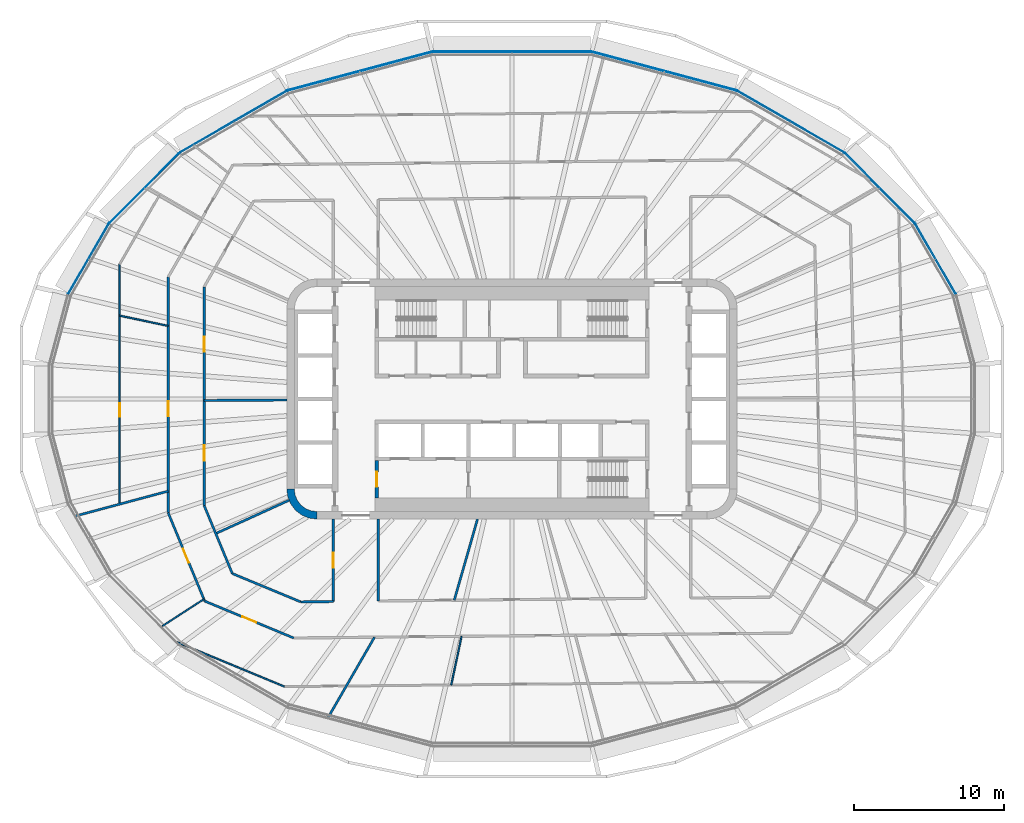
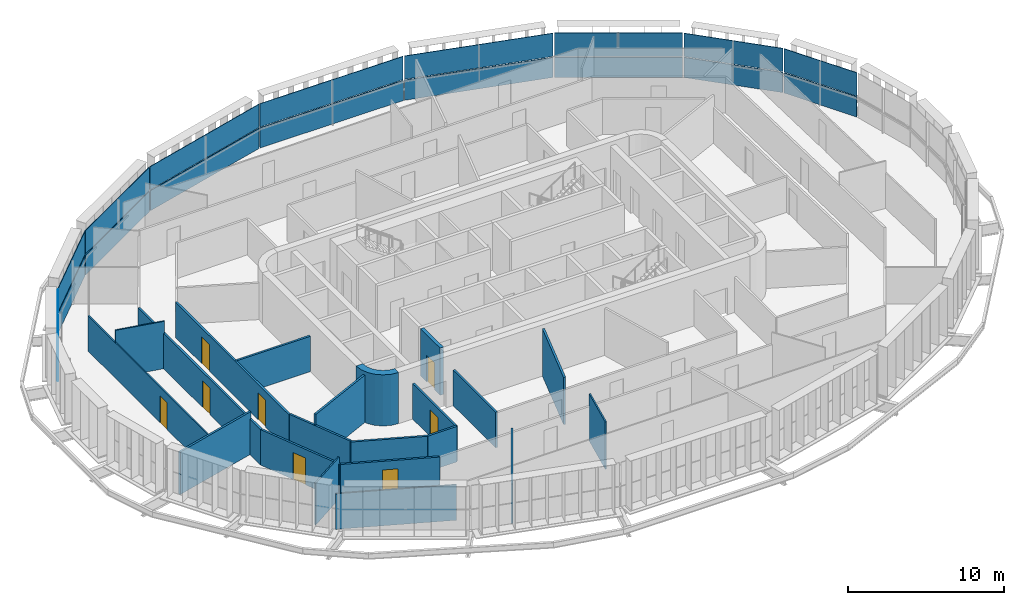
# One storey, part 10 of 21: 21 walls, 18 plates, 8 doors, 8 openings, 9 elements without a shape of their own.
"""IFC4 building model written with IfcOpenShell, lengths in metres."""

from ifc_helpers import new_model, si_unit, direction, frame, frame_2d, origin, place, context, subcontext, project, spatial, polyline, rectangle, outline, extrude, material, layer, layer_set, type_object, element, fill, aggregate, save


model = new_model("IFC4")

# Units and contexts
model_context = context("Model", 3, precision=1e-05, world=origin(), true_north=direction((0.0, 1.0)))
body_context = subcontext(model_context, "Body", "Model", "MODEL_VIEW")
ifc_project = project(units=[si_unit("LENGTHUNIT", "METRE"), si_unit("AREAUNIT", "SQUARE_METRE"), si_unit("VOLUMEUNIT", "CUBIC_METRE"), si_unit("PLANEANGLEUNIT", "RADIAN"), si_unit("MASSUNIT", "GRAM", prefix="KILO")], contexts=[model_context])

# Site, building, storey
site_placement = place(None, origin())
site = spatial("IfcSite", under=ifc_project, at=site_placement, CompositionType="ELEMENT")
building_placement = place(site_placement, origin())
building = spatial("IfcBuilding", under=site, at=building_placement, Name="Sahrelin Media Tower", CompositionType="ELEMENT")
storey_placement = place(building_placement, frame((0.0, 0.0, 193.60009765625)))
storey = spatial("IfcBuildingStorey", under=building, at=storey_placement, Name="L41", CompositionType="ELEMENT", Elevation=193.60009765625)

# Curtain wall, plate
ifc_material_1 = material(Name="Champagne anodised aluminium 6063-T6", Category="aluminium")
ifc_layer_1 = layer(ifc_material_1, 0.14990234375)
ifc_layer_set_1 = layer_set([ifc_layer_1], Name="Tower ribbon curtain wall")
curtain_wall_type = type_object("IfcCurtainWallType", Name="Tower ribbon curtain wall", PredefinedType="NOTDEFINED", material=ifc_layer_set_1)
curtain_wall_1_placement = place(storey_placement, frame((28.211181640625, 9.324951171875, 0.0), z_axis=(0.0, 0.0, 1.0), x_axis=(1.0, 0.0, 0.0)))
curtain_wall_1 = element("IfcCurtainWall", 1, at=curtain_wall_1_placement, inside=storey, type_object=curtain_wall_type, Name="L41:CW:L41-02", PredefinedType="NOTDEFINED")
ifc_material_2 = material(Name="Clear low-iron glazing", Category="glass")
ifc_layer_2 = layer(ifc_material_2, 0.0439453125)
ifc_layer_set_2 = layer_set([ifc_layer_2], Name="Glazing panel 44 mm CW1B")
plate_type_1 = type_object("IfcPlateType", Name="Glazing panel 44 mm CW1B", PredefinedType="CURTAIN_PANEL", material=ifc_layer_set_2)
plate_1_placement = place(storey_placement, frame((29.573486328125, 7.005859375, 1.6298828125), z_axis=(0.866014014495, 0.500019726309, 0.0), x_axis=(-0.500019726309, 0.866014014495, 0.0)))
plate_1 = element("IfcPlate", 2, at=plate_1_placement, type_object=plate_type_1, Name="L41:CWP2:L41-02", PredefinedType="CURTAIN_PANEL", context=body_context, shape_type="SweptSolid", body=[
    extrude(outline(polyline([(0.0, 0.0), (5.379150390625, 0.0), (5.379150390625, 1.818603515625), (0.0, 1.818603515625), (0.0, 0.0)])), origin(), (0.0, 0.0, -1.0), 0.0439453125),
])

curtain_wall_2_placement = place(storey_placement, frame((24.48779296875, 14.05126953125, 0.0), z_axis=(0.0, 0.0, 1.0), x_axis=(1.0, 0.0, 0.0)))
curtain_wall_2 = element("IfcCurtainWall", 3, at=curtain_wall_2_placement, inside=storey, type_object=curtain_wall_type, Name="L41:CW:L41-03", PredefinedType="NOTDEFINED")
plate_2_placement = place(storey_placement, frame((26.8203125, 11.7470703125, 1.6298828125), z_axis=(0.707106781187, 0.707106781187, 0.0), x_axis=(-0.707106781187, 0.707106781187, 0.0)))
plate_2 = element("IfcPlate", 4, at=plate_2_placement, type_object=plate_type_1, Name="L41:CWP2:L41-03", PredefinedType="CURTAIN_PANEL", context=body_context, shape_type="SweptSolid", body=[
    extrude(outline(polyline([(0.0, 0.0), (6.557373046875, 0.0), (6.557373046875, 1.818603515625), (0.0, 1.818603515625), (0.0, 0.0)])), origin(), (0.0, 0.0, -1.0), 0.0439453125),
])

curtain_wall_3_placement = place(storey_placement, frame((18.54052734375, 18.47998046875, 0.0), z_axis=(0.0, 0.0, 1.0), x_axis=(1.0, 0.0, 0.0)))
curtain_wall_3 = element("IfcCurtainWall", 5, at=curtain_wall_3_placement, inside=storey, type_object=curtain_wall_type, Name="L41:CW:L41-04", PredefinedType="NOTDEFINED")
plate_3_placement = place(storey_placement, frame((22.1005859375, 16.447509765625, 1.6298828125), z_axis=(0.499998260706, 0.866026407964, 0.0), x_axis=(-0.866026407964, 0.499998260706, 0.0)))
plate_3 = element("IfcPlate", 6, at=plate_3_placement, type_object=plate_type_1, Name="L41:CWP2:L41-04", PredefinedType="CURTAIN_PANEL", context=body_context, shape_type="SweptSolid", body=[
    extrude(outline(polyline([(0.0, 0.0), (8.19873046875, 0.0), (8.19873046875, 1.818603515625), (0.0, 1.818603515625), (0.0, 0.0)])), origin(), (0.0, 0.0, -1.0), 0.0439453125),
])

curtain_wall_4_placement = place(storey_placement, frame((10.143310546875, 21.841796875, 0.0), z_axis=(0.0, 0.0, 1.0), x_axis=(1.0, 0.0, 0.0)))
curtain_wall_4 = element("IfcCurtainWall", 7, at=curtain_wall_4_placement, inside=storey, type_object=curtain_wall_type, Name="L41:CW:L41-05", PredefinedType="NOTDEFINED")
plate_4_placement = place(storey_placement, frame((14.90380859375, 20.5869140625, 1.6298828125), z_axis=(0.258813753336, 0.965927244198, 0.0), x_axis=(-0.965927244198, 0.258813753336, 0.0)))
plate_4 = element("IfcPlate", 8, at=plate_4_placement, type_object=plate_type_1, Name="L41:CWP2:L41-05", PredefinedType="CURTAIN_PANEL", context=body_context, shape_type="SweptSolid", body=[
    extrude(outline(polyline([(0.0, 0.0), (9.84619140625, 0.0), (9.84619140625, 1.818603515625), (0.0, 1.818603515625), (0.0, 0.0)])), origin(), (0.0, 0.0, -1.0), 0.0439453125),
])

curtain_wall_5_placement = place(storey_placement, frame((0.0, 23.12890625, 0.0), z_axis=(0.0, 0.0, 1.0), x_axis=(1.0, 0.0, 0.0)))
curtain_wall_5 = element("IfcCurtainWall", 9, at=curtain_wall_5_placement, inside=storey, type_object=curtain_wall_type, Name="L41:CW:L41-06", PredefinedType="NOTDEFINED")
plate_5_placement = place(storey_placement, frame((5.28955078125, 23.14892578125, 1.6298828125), z_axis=(0.0, 1.0, 0.0), x_axis=(-1.0, 0.0, 0.0)))
plate_5 = element("IfcPlate", 10, at=plate_5_placement, type_object=plate_type_1, Name="L41:CWP2:L41-06", PredefinedType="CURTAIN_PANEL", context=body_context, shape_type="SweptSolid", body=[
    extrude(outline(polyline([(0.0, 0.0), (10.5791015625, 0.0), (10.5791015625, 1.818603515625), (0.0, 1.818603515625), (0.0, 0.0)])), origin(), (0.0, 0.0, -1.0), 0.0439453125),
])

curtain_wall_6_placement = place(storey_placement, frame((-10.143310546875, 21.841796875, 0.0), z_axis=(0.0, 0.0, 1.0), x_axis=(1.0, 0.0, 0.0)))
curtain_wall_6 = element("IfcCurtainWall", 11, at=curtain_wall_6_placement, inside=storey, type_object=curtain_wall_type, Name="L41:CW:L41-07", PredefinedType="NOTDEFINED")
plate_6_placement = place(storey_placement, frame((-5.39306640625, 23.13525390625, 1.6298828125), z_axis=(-0.258813753336, 0.965927244198, 0.0), x_axis=(-0.965927244198, -0.258813753336, 0.0)))
plate_6 = element("IfcPlate", 12, at=plate_6_placement, type_object=plate_type_1, Name="L41:CWP2:L41-07", PredefinedType="CURTAIN_PANEL", context=body_context, shape_type="SweptSolid", body=[
    extrude(outline(polyline([(0.0, 0.0), (9.84619140625, 0.0), (9.84619140625, 1.818603515625), (0.0, 1.818603515625), (0.0, 0.0)])), origin(), (0.0, 0.0, -1.0), 0.0439453125),
])

curtain_wall_7_placement = place(storey_placement, frame((-18.540283203125, 18.479736328125, 0.0), z_axis=(0.0, 0.0, 1.0), x_axis=(1.0, 0.0, 0.0)))
curtain_wall_7 = element("IfcCurtainWall", 13, at=curtain_wall_7_placement, inside=storey, type_object=curtain_wall_type, Name="L41:CW:L41-08", PredefinedType="NOTDEFINED")
plate_7_placement = place(storey_placement, frame((-15.000244140625, 20.546875, 1.6298828125), z_axis=(-0.499998260706, 0.866026407964, 0.0), x_axis=(-0.866026407964, -0.499998260706, 0.0)))
plate_7 = element("IfcPlate", 14, at=plate_7_placement, type_object=plate_type_1, Name="L41:CWP2:L41-08", PredefinedType="CURTAIN_PANEL", context=body_context, shape_type="SweptSolid", body=[
    extrude(outline(polyline([(0.0, 0.0), (8.19873046875, 0.0), (8.19873046875, 1.818603515625), (0.0, 1.818603515625), (0.0, 0.0)])), origin(), (0.0, 0.0, -1.0), 0.0439453125),
])

curtain_wall_8_placement = place(storey_placement, frame((-24.48779296875, 14.05126953125, 0.0), z_axis=(0.0, 0.0, 1.0), x_axis=(1.0, 0.0, 0.0)))
curtain_wall_8 = element("IfcCurtainWall", 15, at=curtain_wall_8_placement, inside=storey, type_object=curtain_wall_type, Name="L41:CW:L41-09", PredefinedType="NOTDEFINED")
plate_8_placement = place(storey_placement, frame((-22.18359375, 16.3837890625, 1.6298828125), z_axis=(-0.707106781187, 0.707106781187, 0.0), x_axis=(-0.707106781187, -0.707106781187, 0.0)))
plate_8 = element("IfcPlate", 16, at=plate_8_placement, type_object=plate_type_1, Name="L41:CWP2:L41-09", PredefinedType="CURTAIN_PANEL", context=body_context, shape_type="SweptSolid", body=[
    extrude(outline(polyline([(0.0, 0.0), (6.557373046875, 0.0), (6.557373046875, 1.818603515625), (0.0, 1.818603515625), (0.0, 0.0)])), origin(), (0.0, 0.0, -1.0), 0.0439453125),
])

curtain_wall_9_placement = place(storey_placement, frame((-28.211181640625, 9.324951171875, 0.0), z_axis=(0.0, 0.0, 1.0), x_axis=(1.0, 0.0, 0.0)))
curtain_wall_9 = element("IfcCurtainWall", 17, at=curtain_wall_9_placement, inside=storey, type_object=curtain_wall_type, Name="L41:CW:L41-10", PredefinedType="NOTDEFINED")
plate_9_placement = place(storey_placement, frame((-26.8837890625, 11.664306640625, 1.6298828125), z_axis=(-0.866014014495, 0.500019726309, 0.0), x_axis=(-0.500019726309, -0.866014014495, 0.0)))
plate_9 = element("IfcPlate", 18, at=plate_9_placement, type_object=plate_type_1, Name="L41:CWP2:L41-10", PredefinedType="CURTAIN_PANEL", context=body_context, shape_type="SweptSolid", body=[
    extrude(outline(polyline([(0.0, 0.0), (5.379150390625, 0.0), (5.379150390625, 1.818603515625), (0.0, 1.818603515625), (0.0, 0.0)])), origin(), (0.0, 0.0, -1.0), 0.0439453125),
])

# Plate
ifc_material_3 = material(Name="Insulated spandrel panel")
ifc_layer_3 = layer(ifc_material_3, 0.06005859375)
ifc_layer_set_3 = layer_set([ifc_layer_3], Name="Spandrel panel 60 mm CW1")
plate_type_2 = type_object("IfcPlateType", Name="Spandrel panel 60 mm CW1", PredefinedType="SHEET", material=ifc_layer_set_3)
plate_10_placement = place(storey_placement, frame((29.573486328125, 7.005859375, 0.0), z_axis=(0.866014014495, 0.500019726309, 0.0), x_axis=(-0.500019726309, 0.866014014495, 0.0)))
plate_10 = element("IfcPlate", 19, at=plate_10_placement, type_object=plate_type_2, Name="L41:CWP1:L41-02", PredefinedType="SHEET", context=body_context, shape_type="SweptSolid", body=[
    extrude(outline(polyline([(0.0, 0.0), (5.379150390625, 0.0), (5.379150390625, 1.56982421875), (0.0, 1.56982421875), (0.0, 0.0)])), origin(), (0.0, 0.0, -1.0), 0.06005859375),
])

aggregate(curtain_wall_1, [plate_10, plate_1])

plate_11_placement = place(storey_placement, frame((26.8203125, 11.7470703125, 0.0), z_axis=(0.707106781187, 0.707106781187, 0.0), x_axis=(-0.707106781187, 0.707106781187, 0.0)))
plate_11 = element("IfcPlate", 20, at=plate_11_placement, type_object=plate_type_2, Name="L41:CWP1:L41-03", PredefinedType="SHEET", context=body_context, shape_type="SweptSolid", body=[
    extrude(outline(polyline([(0.0, 0.0), (6.557373046875, 0.0), (6.557373046875, 1.56982421875), (0.0, 1.56982421875), (0.0, 0.0)])), origin(), (0.0, 0.0, -1.0), 0.06005859375),
])

aggregate(curtain_wall_2, [plate_11, plate_2])

plate_12_placement = place(storey_placement, frame((22.1005859375, 16.447509765625, 0.0), z_axis=(0.499998260706, 0.866026407964, 0.0), x_axis=(-0.866026407964, 0.499998260706, 0.0)))
plate_12 = element("IfcPlate", 21, at=plate_12_placement, type_object=plate_type_2, Name="L41:CWP1:L41-04", PredefinedType="SHEET", context=body_context, shape_type="SweptSolid", body=[
    extrude(outline(polyline([(0.0, 0.0), (8.19873046875, 0.0), (8.19873046875, 1.56982421875), (0.0, 1.56982421875), (0.0, 0.0)])), origin(), (0.0, 0.0, -1.0), 0.06005859375),
])

aggregate(curtain_wall_3, [plate_12, plate_3])

plate_13_placement = place(storey_placement, frame((14.90380859375, 20.5869140625, 0.0), z_axis=(0.258813753336, 0.965927244198, 0.0), x_axis=(-0.965927244198, 0.258813753336, 0.0)))
plate_13 = element("IfcPlate", 22, at=plate_13_placement, type_object=plate_type_2, Name="L41:CWP1:L41-05", PredefinedType="SHEET", context=body_context, shape_type="SweptSolid", body=[
    extrude(outline(polyline([(0.0, 0.0), (9.84619140625, 0.0), (9.84619140625, 1.56982421875), (0.0, 1.56982421875), (0.0, 0.0)])), origin(), (0.0, 0.0, -1.0), 0.06005859375),
])

aggregate(curtain_wall_4, [plate_13, plate_4])

plate_14_placement = place(storey_placement, frame((5.28955078125, 23.14892578125, 0.0), z_axis=(0.0, 1.0, 0.0), x_axis=(-1.0, 0.0, 0.0)))
plate_14 = element("IfcPlate", 23, at=plate_14_placement, type_object=plate_type_2, Name="L41:CWP1:L41-06", PredefinedType="SHEET", context=body_context, shape_type="SweptSolid", body=[
    extrude(outline(polyline([(0.0, 0.0), (10.5791015625, 0.0), (10.5791015625, 1.56982421875), (0.0, 1.56982421875), (0.0, 0.0)])), origin(), (0.0, 0.0, -1.0), 0.06005859375),
])

aggregate(curtain_wall_5, [plate_14, plate_5])

plate_15_placement = place(storey_placement, frame((-5.39306640625, 23.13525390625, 0.0), z_axis=(-0.258813753336, 0.965927244198, 0.0), x_axis=(-0.965927244198, -0.258813753336, 0.0)))
plate_15 = element("IfcPlate", 24, at=plate_15_placement, type_object=plate_type_2, Name="L41:CWP1:L41-07", PredefinedType="SHEET", context=body_context, shape_type="SweptSolid", body=[
    extrude(outline(polyline([(0.0, 0.0), (9.84619140625, 0.0), (9.84619140625, 1.56982421875), (0.0, 1.56982421875), (0.0, 0.0)])), origin(), (0.0, 0.0, -1.0), 0.06005859375),
])

aggregate(curtain_wall_6, [plate_15, plate_6])

plate_16_placement = place(storey_placement, frame((-15.000244140625, 20.546875, 0.0), z_axis=(-0.499998260706, 0.866026407964, 0.0), x_axis=(-0.866026407964, -0.499998260706, 0.0)))
plate_16 = element("IfcPlate", 25, at=plate_16_placement, type_object=plate_type_2, Name="L41:CWP1:L41-08", PredefinedType="SHEET", context=body_context, shape_type="SweptSolid", body=[
    extrude(outline(polyline([(0.0, 0.0), (8.19873046875, 0.0), (8.19873046875, 1.56982421875), (0.0, 1.56982421875), (0.0, 0.0)])), origin(), (0.0, 0.0, -1.0), 0.06005859375),
])

aggregate(curtain_wall_7, [plate_16, plate_7])

plate_17_placement = place(storey_placement, frame((-22.18359375, 16.3837890625, 0.0), z_axis=(-0.707106781187, 0.707106781187, 0.0), x_axis=(-0.707106781187, -0.707106781187, 0.0)))
plate_17 = element("IfcPlate", 26, at=plate_17_placement, type_object=plate_type_2, Name="L41:CWP1:L41-09", PredefinedType="SHEET", context=body_context, shape_type="SweptSolid", body=[
    extrude(outline(polyline([(0.0, 0.0), (6.557373046875, 0.0), (6.557373046875, 1.56982421875), (0.0, 1.56982421875), (0.0, 0.0)])), origin(), (0.0, 0.0, -1.0), 0.06005859375),
])

aggregate(curtain_wall_8, [plate_17, plate_8])

plate_18_placement = place(storey_placement, frame((-26.8837890625, 11.664306640625, 0.0), z_axis=(-0.866014014495, 0.500019726309, 0.0), x_axis=(-0.500019726309, -0.866014014495, 0.0)))
plate_18 = element("IfcPlate", 27, at=plate_18_placement, type_object=plate_type_2, Name="L41:CWP1:L41-10", PredefinedType="SHEET", context=body_context, shape_type="SweptSolid", body=[
    extrude(outline(polyline([(0.0, 0.0), (5.379150390625, 0.0), (5.379150390625, 1.56982421875), (0.0, 1.56982421875), (0.0, 0.0)])), origin(), (0.0, 0.0, -1.0), 0.06005859375),
])

aggregate(curtain_wall_9, [plate_18, plate_9])

# Wall
ifc_material_4 = material(Name="Concrete C60/75", Category="concrete")
ifc_layer_4 = layer(ifc_material_4, 0.5)
ifc_layer_set_4 = layer_set([ifc_layer_4], Name="Core wall 500")
wall_type_1 = type_object("IfcWallType", Name="Core wall 500", PredefinedType="SHEAR", material=ifc_layer_set_4)
wall_1_placement = place(storey_placement, origin())
element("IfcWall", 28, at=wall_1_placement, inside=storey, type_object=wall_type_1, Name="Core wall corner SW L41", PredefinedType="SHEAR", context=body_context, shape_type="SweptSolid", body=[
    extrude(outline(polyline([(-13.0, -8.0), (-13.0, -7.49560546875), (-13.38720703125, -7.44482421875), (-13.747802734375, -7.29541015625), (-14.0576171875, -7.0576171875), (-14.29541015625, -6.747802734375), (-14.44482421875, -6.38720703125), (-14.49560546875, -6.0), (-15.0, -6.0), (-14.931884765625, -6.517578125), (-14.732177734375, -7.0), (-14.414306640625, -7.414306640625), (-14.0, -7.732177734375), (-13.517578125, -7.931884765625), (-13.0, -8.0)])), origin(), (0.0, 0.0, 1.0), 4.0),
])

# Wall, opening, door
ifc_material_5 = material(Name="Fire-rated gypsum board partition")
ifc_layer_5 = layer(ifc_material_5, 0.14990234375)
ifc_layer_set_5 = layer_set([ifc_layer_5], Name="Fire-rated partition 150")
wall_type_2 = type_object("IfcWallType", Name="Fire-rated partition 150", PredefinedType="PARTITIONING", material=ifc_layer_set_5)
wall_2_placement = place(storey_placement, frame((-22.89990234375, -7.572021484375, 0.0), z_axis=(0.0, 0.0, 1.0), x_axis=(0.382367581622, -0.924010298928, 0.0)))
wall_2 = element("IfcWall", 29, at=wall_2_placement, inside=storey, type_object=wall_type_2, Name="Wall", PredefinedType="PARTITIONING", context=body_context, shape_type="SweptSolid", body=[
    extrude(rectangle(XDim=6.37353515625, YDim=0.14990234375, at=frame_2d((3.186767578125, 0.0))), origin(), (0.0, 0.0, 1.0), 2.77685546875),
])
opening_1_placement = place(wall_2_placement, frame((2.599853515625, 0.0, 0.0)))
opening_1 = element("IfcOpeningElement", 30, at=opening_1_placement, cuts=wall_2, Name="Opening L41-D49", PredefinedType="OPENING", context=body_context, shape_type="SweptSolid", body=[
    extrude(rectangle(XDim=1.0, YDim=2.10009765625, at=frame_2d((0.5, 1.050048828125))), frame((0.0, 0.074951171875, 0.0), z_axis=(0.0, -1.0, 0.0), x_axis=(1.0, 0.0, 0.0)), (0.0, 0.0, 1.0), 0.14990234375),
])
ifc_material_6 = material(Name="Steel fire door leaf", Category="steel")
door_type_1 = type_object("IfcDoorType", Name="Fire door 1000 x 2100 EI 60", OperationType="NOTDEFINED", PredefinedType="DOOR", material=ifc_material_6)
door_1_placement = place(opening_1_placement, origin())
door_1 = element("IfcDoor", 31, at=door_1_placement, inside=storey, type_object=door_type_1, Name="Fire door", OperationType="SINGLE_SWING_RIGHT", OverallHeight=2.10009765625, OverallWidth=1.0, PredefinedType="DOOR", context=body_context, shape_type="SweptSolid", body=[
    extrude(rectangle(XDim=1.0, YDim=2.10009765625, at=frame_2d((0.5, 1.050048828125))), frame((0.0, 0.02490234375, 0.0), z_axis=(0.0, -1.0, 0.0), x_axis=(1.0, 0.0, 0.0)), (0.0, 0.0, 1.0), 0.050048828125),
])
fill(opening_1, door_1)

# Wall
wall_3_placement = place(storey_placement, frame((-20.5, -7.094970703125, 0.0), z_axis=(0.0, 0.0, 1.0), x_axis=(0.382364990163, -0.924011371303, 0.0)))
element("IfcWall", 32, at=wall_3_placement, inside=storey, type_object=wall_type_2, Name="Wall", PredefinedType="PARTITIONING", context=body_context, shape_type="SweptSolid", body=[
    extrude(rectangle(XDim=4.90185546875, YDim=0.14990234375, at=frame_2d((2.450927734375, 0.0))), origin(), (0.0, 0.0, 1.0), 2.844970703125),
])

# Wall, opening, door
wall_4_placement = place(storey_placement, frame((-20.4599609375, -13.4599609375, 0.0), z_axis=(0.0, 0.0, 1.0), x_axis=(0.923801547606, -0.382871650349, 0.0)))
wall_4 = element("IfcWall", 33, at=wall_4_placement, inside=storey, type_object=wall_type_2, Name="Wall", PredefinedType="PARTITIONING", context=body_context, shape_type="SweptSolid", body=[
    extrude(rectangle(XDim=6.414794921875, YDim=0.14990234375, at=frame_2d((3.20751953125, 0.0))), origin(), (0.0, 0.0, 1.0), 2.77685546875),
])
opening_2_placement = place(wall_4_placement, frame((2.70703125, 0.0, 0.0)))
opening_2 = element("IfcOpeningElement", 34, at=opening_2_placement, cuts=wall_4, Name="Opening L41-D50", PredefinedType="OPENING", context=body_context, shape_type="SweptSolid", body=[
    extrude(rectangle(XDim=1.0, YDim=2.10009765625, at=frame_2d((0.5, 1.050048828125))), frame((0.0, 0.074951171875, 0.0), z_axis=(0.0, -1.0, 0.0), x_axis=(1.0, 0.0, 0.0)), (0.0, 0.0, 1.0), 0.14990234375),
])
door_2_placement = place(opening_2_placement, origin())
door_2 = element("IfcDoor", 35, at=door_2_placement, inside=storey, type_object=door_type_1, Name="Fire door", OperationType="SINGLE_SWING_RIGHT", OverallHeight=2.10009765625, OverallWidth=1.0, PredefinedType="DOOR", context=body_context, shape_type="SweptSolid", body=[
    extrude(rectangle(XDim=1.0, YDim=2.10009765625, at=frame_2d((0.5, 1.050048828125))), frame((0.0, 0.02490234375, 0.0), z_axis=(0.0, -1.0, 0.0), x_axis=(1.0, 0.0, 0.0)), (0.0, 0.0, 1.0), 0.050048828125),
])
fill(opening_2, door_2)

# Walls
wall_5_placement = place(storey_placement, frame((-18.623046875, -11.623046875, 0.0), z_axis=(0.0, 0.0, 1.0), x_axis=(0.923791670587, -0.38289548098, 0.0)))
element("IfcWall", 36, at=wall_5_placement, inside=storey, type_object=wall_type_2, Name="Wall", PredefinedType="PARTITIONING", context=body_context, shape_type="SweptSolid", body=[
    extrude(rectangle(XDim=4.9306640625, YDim=0.14990234375, at=frame_2d((2.46533203125, 0.0))), origin(), (0.0, 0.0, 1.0), 2.77685546875),
])
wall_6_placement = place(storey_placement, frame((-20.5, -0.093994140625, 0.0), z_axis=(0.0, 0.0, 1.0), x_axis=(0.999990148138, 0.004438876723, 0.0)))
element("IfcWall", 37, at=wall_6_placement, inside=storey, type_object=wall_type_2, Name="Wall", PredefinedType="PARTITIONING", context=body_context, shape_type="SweptSolid", body=[
    extrude(rectangle(XDim=5.5, YDim=0.14990234375, at=frame_2d((2.75, 0.0))), origin(), (0.0, 0.0, 1.0), 2.76806640625),
])
wall_7_placement = place(storey_placement, frame((-14.068115234375, -13.510986328125, 0.0), z_axis=(0.0, 0.0, 1.0), x_axis=(0.999950911515, 0.009908307647, 0.0)))
element("IfcWall", 38, at=wall_7_placement, inside=storey, type_object=wall_type_2, Name="Wall", PredefinedType="PARTITIONING", context=body_context, shape_type="SweptSolid", body=[
    extrude(rectangle(XDim=2.168212890625, YDim=0.14990234375, at=frame_2d((1.083984375, 0.0))), origin(), (0.0, 0.0, 1.0), 2.77685546875),
])
wall_8_placement = place(storey_placement, frame((-29.093994140625, -7.7958984375, 0.0), z_axis=(0.0, 0.0, 1.0), x_axis=(0.965917630497, 0.258849630277, 0.0)))
element("IfcWall", 39, at=wall_8_placement, inside=storey, type_object=wall_type_2, Name="Wall", PredefinedType="PARTITIONING", context=body_context, shape_type="SweptSolid", body=[
    extrude(rectangle(XDim=6.41259765625, YDim=0.14990234375, at=frame_2d((3.206298828125, 0.0))), origin(), (0.0, 0.0, 1.0), 3.324951171875),
])
wall_9_placement = place(storey_placement, frame((-19.72802734375, -8.9580078125, 0.0), z_axis=(0.0, 0.0, 1.0), x_axis=(0.910629511797, 0.413223779863, 0.0)))
element("IfcWall", 40, at=wall_9_placement, inside=storey, type_object=wall_type_2, Name="Wall", PredefinedType="PARTITIONING", context=body_context, shape_type="SweptSolid", body=[
    extrude(rectangle(XDim=5.3681640625, YDim=0.14990234375, at=frame_2d((2.68408203125, 0.0))), origin(), (0.0, 0.0, 1.0), 3.699951171875),
])
wall_10_placement = place(storey_placement, frame((-12.280029296875, -21.27001953125, 0.0), z_axis=(0.0, 0.0, 1.0), x_axis=(0.499966163276, 0.866044938545, 0.0)))
element("IfcWall", 41, at=wall_10_placement, inside=storey, type_object=wall_type_2, Name="Wall", PredefinedType="PARTITIONING", context=body_context, shape_type="SweptSolid", body=[
    extrude(rectangle(XDim=6.24365234375, YDim=0.14990234375, at=frame_2d((3.121826171875, 0.0))), origin(), (0.0, 0.0, 1.0), 3.077392578125),
])
wall_11_placement = place(storey_placement, frame((-3.845947265625, -13.39892578125, 0.0), z_axis=(0.0, 0.0, 1.0), x_axis=(0.275914969745, 0.961182048038, 0.0)))
element("IfcWall", 42, at=wall_11_placement, inside=storey, type_object=wall_type_2, Name="Wall", PredefinedType="PARTITIONING", context=body_context, shape_type="SweptSolid", body=[
    extrude(rectangle(XDim=5.616943359375, YDim=0.14990234375, at=frame_2d((2.80859375, 0.0))), origin(), (0.0, 0.0, 1.0), 3.699951171875),
])
wall_12_placement = place(storey_placement, frame((-8.89990234375, -13.448974609375, 0.0), z_axis=(0.0, 0.0, 1.0), x_axis=(0.0, 1.0, 0.0)))
element("IfcWall", 43, at=wall_12_placement, inside=storey, type_object=wall_type_2, Name="Wall", PredefinedType="PARTITIONING", context=body_context, shape_type="SweptSolid", body=[
    extrude(rectangle(XDim=5.448974609375, YDim=0.14990234375, at=frame_2d((2.724609375, 0.0))), origin(), (0.0, 0.0, 1.0), 2.77685546875),
])

# Wall, opening, door
wall_13_placement = place(storey_placement, frame((-11.89990234375, -13.489990234375, 0.0), z_axis=(0.0, 0.0, 1.0), x_axis=(0.0, 1.0, 0.0)))
wall_13 = element("IfcWall", 44, at=wall_13_placement, inside=storey, type_object=wall_type_2, Name="Wall", PredefinedType="PARTITIONING", context=body_context, shape_type="SweptSolid", body=[
    extrude(rectangle(XDim=5.489990234375, YDim=0.14990234375, at=frame_2d((2.7451171875, 0.0))), origin(), (0.0, 0.0, 1.0), 2.77685546875),
])
opening_3_placement = place(wall_13_placement, frame((2.2451171875, 0.0, 0.0)))
opening_3 = element("IfcOpeningElement", 45, at=opening_3_placement, cuts=wall_13, Name="Opening L41-D34", PredefinedType="OPENING", context=body_context, shape_type="SweptSolid", body=[
    extrude(rectangle(XDim=1.0, YDim=2.10009765625, at=frame_2d((0.5, 1.050048828125))), frame((0.0, 0.074951171875, 0.0), z_axis=(0.0, -1.0, 0.0), x_axis=(1.0, 0.0, 0.0)), (0.0, 0.0, 1.0), 0.14990234375),
])
door_3_placement = place(opening_3_placement, origin())
door_3 = element("IfcDoor", 46, at=door_3_placement, inside=storey, type_object=door_type_1, Name="Fire door", OperationType="SINGLE_SWING_RIGHT", OverallHeight=2.10009765625, OverallWidth=1.0, PredefinedType="DOOR", context=body_context, shape_type="SweptSolid", body=[
    extrude(rectangle(XDim=1.0, YDim=2.10009765625, at=frame_2d((0.5, 1.050048828125))), frame((0.0, 0.02490234375, 0.0), z_axis=(0.0, -1.0, 0.0), x_axis=(1.0, 0.0, 0.0)), (0.0, 0.0, 1.0), 0.050048828125),
])
fill(opening_3, door_3)

# Wall, openings, doors
wall_14_placement = place(storey_placement, frame((-20.5, -7.094970703125, 0.0), z_axis=(0.0, 0.0, 1.0), x_axis=(0.0, 1.0, 0.0)))
wall_14 = element("IfcWall", 47, at=wall_14_placement, inside=storey, type_object=wall_type_2, Name="Wall", PredefinedType="PARTITIONING", context=body_context, shape_type="SweptSolid", body=[
    extrude(rectangle(XDim=14.569091796875, YDim=0.14990234375, at=frame_2d((7.28466796875, 0.0))), origin(), (0.0, 0.0, 1.0), 2.76806640625),
])
opening_4_placement = place(wall_14_placement, frame((10.234375, 0.0, 0.0)))
opening_4 = element("IfcOpeningElement", 48, at=opening_4_placement, cuts=wall_14, Name="Opening L41-D32", PredefinedType="OPENING", context=body_context, shape_type="SweptSolid", body=[
    extrude(rectangle(XDim=1.0, YDim=2.10009765625, at=frame_2d((0.5, 1.050048828125))), frame((0.0, 0.074951171875, 0.0), z_axis=(0.0, -1.0, 0.0), x_axis=(1.0, 0.0, 0.0)), (0.0, 0.0, 1.0), 0.14990234375),
])
opening_5_placement = place(wall_14_placement, frame((3.00048828125, 0.0, 0.0)))
opening_5 = element("IfcOpeningElement", 49, at=opening_5_placement, cuts=wall_14, Name="Opening L41-D33", PredefinedType="OPENING", context=body_context, shape_type="SweptSolid", body=[
    extrude(rectangle(XDim=1.0, YDim=2.10009765625, at=frame_2d((0.5, 1.050048828125))), frame((0.0, 0.074951171875, 0.0), z_axis=(0.0, -1.0, 0.0), x_axis=(1.0, 0.0, 0.0)), (0.0, 0.0, 1.0), 0.14990234375),
])
door_4_placement = place(opening_4_placement, origin())
door_4 = element("IfcDoor", 50, at=door_4_placement, inside=storey, type_object=door_type_1, Name="Fire door", OperationType="SINGLE_SWING_LEFT", OverallHeight=2.10009765625, OverallWidth=1.0, PredefinedType="DOOR", context=body_context, shape_type="SweptSolid", body=[
    extrude(rectangle(XDim=1.0, YDim=2.10009765625, at=frame_2d((0.5, 1.050048828125))), frame((0.0, 0.02490234375, 0.0), z_axis=(0.0, -1.0, 0.0), x_axis=(1.0, 0.0, 0.0)), (0.0, 0.0, 1.0), 0.050048828125),
])
fill(opening_4, door_4)
door_5_placement = place(opening_5_placement, origin())
door_5 = element("IfcDoor", 51, at=door_5_placement, inside=storey, type_object=door_type_1, Name="Fire door", OperationType="SINGLE_SWING_RIGHT", OverallHeight=2.10009765625, OverallWidth=1.0, PredefinedType="DOOR", context=body_context, shape_type="SweptSolid", body=[
    extrude(rectangle(XDim=1.0, YDim=2.10009765625, at=frame_2d((0.5, 1.050048828125))), frame((0.0, 0.02490234375, 0.0), z_axis=(0.0, -1.0, 0.0), x_axis=(1.0, 0.0, 0.0)), (0.0, 0.0, 1.0), 0.050048828125),
])
fill(opening_5, door_5)

# Wall, opening, door
wall_15_placement = place(storey_placement, frame((-22.89990234375, -7.572021484375, 0.0), z_axis=(0.0, 0.0, 1.0), x_axis=(0.0, 1.0, 0.0)))
wall_15 = element("IfcWall", 52, at=wall_15_placement, inside=storey, type_object=wall_type_2, Name="Wall", PredefinedType="PARTITIONING", context=body_context, shape_type="SweptSolid", body=[
    extrude(rectangle(XDim=15.68896484375, YDim=0.14990234375, at=frame_2d((7.844482421875, 0.0))), origin(), (0.0, 0.0, 1.0), 2.76806640625),
])
opening_6_placement = place(wall_15_placement, frame((6.4375, 0.0, 0.0)))
opening_6 = element("IfcOpeningElement", 53, at=opening_6_placement, cuts=wall_15, Name="Opening L41-D47", PredefinedType="OPENING", context=body_context, shape_type="SweptSolid", body=[
    extrude(rectangle(XDim=1.0, YDim=2.10009765625, at=frame_2d((0.5, 1.050048828125))), frame((0.0, 0.074951171875, 0.0), z_axis=(0.0, -1.0, 0.0), x_axis=(1.0, 0.0, 0.0)), (0.0, 0.0, 1.0), 0.14990234375),
])
door_6_placement = place(opening_6_placement, origin())
door_6 = element("IfcDoor", 54, at=door_6_placement, inside=storey, type_object=door_type_1, Name="Fire door", OperationType="SINGLE_SWING_LEFT", OverallHeight=2.10009765625, OverallWidth=1.0, PredefinedType="DOOR", context=body_context, shape_type="SweptSolid", body=[
    extrude(rectangle(XDim=1.0, YDim=2.10009765625, at=frame_2d((0.5, 1.050048828125))), frame((0.0, 0.02490234375, 0.0), z_axis=(0.0, -1.0, 0.0), x_axis=(1.0, 0.0, 0.0)), (0.0, 0.0, 1.0), 0.050048828125),
])
fill(opening_6, door_6)

ifc_layer_6 = layer(ifc_material_5, 0.25)
ifc_layer_set_6 = layer_set([ifc_layer_6], Name="Firefighting lobby wall 250")
wall_type_3 = type_object("IfcWallType", Name="Firefighting lobby wall 250", PredefinedType="PARTITIONING", material=ifc_layer_set_6)
wall_16_placement = place(storey_placement, frame((-9.0, -6.60009765625, 0.0), z_axis=(0.0, 0.0, 1.0), x_axis=(0.0, 1.0, 0.0)))
wall_16 = element("IfcWall", 55, at=wall_16_placement, inside=storey, type_object=wall_type_3, Name="Core wall", PredefinedType="PARTITIONING", context=body_context, shape_type="SweptSolid", body=[
    extrude(rectangle(XDim=2.5, YDim=0.25, at=frame_2d((1.25, 0.0))), origin(), (0.0, 0.0, 1.0), 3.699951171875),
])
opening_7_placement = place(wall_16_placement, frame((0.75, 0.0, 0.0)))
opening_7 = element("IfcOpeningElement", 56, at=opening_7_placement, cuts=wall_16, Name="Opening L41-D04", PredefinedType="OPENING", context=body_context, shape_type="SweptSolid", body=[
    extrude(rectangle(XDim=1.0, YDim=2.10009765625, at=frame_2d((0.5, 1.050048828125))), frame((0.0, 0.125, 0.0), z_axis=(0.0, -1.0, 0.0), x_axis=(1.0, 0.0, 0.0)), (0.0, 0.0, 1.0), 0.25),
])
door_type_2 = type_object("IfcDoorType", Name="Firefighting lobby door 1000 x 2100 EI 120", OperationType="NOTDEFINED", PredefinedType="DOOR", material=ifc_material_6)
door_7_placement = place(opening_7_placement, origin())
door_7 = element("IfcDoor", 57, at=door_7_placement, inside=storey, type_object=door_type_2, Name="Firefighting lobby door", OperationType="SINGLE_SWING_LEFT", OverallHeight=2.10009765625, OverallWidth=1.0, PredefinedType="DOOR", context=body_context, shape_type="SweptSolid", body=[
    extrude(rectangle(XDim=1.0, YDim=2.10009765625, at=frame_2d((0.5, 1.050048828125))), frame((0.0, 0.02490234375, 0.0), z_axis=(0.0, -1.0, 0.0), x_axis=(1.0, 0.0, 0.0)), (0.0, 0.0, 1.0), 0.050048828125),
])
fill(opening_7, door_7)

# Walls
ifc_material_7 = material(Name="Gypsum board partition")
ifc_layer_7 = layer(ifc_material_7, 0.10009765625)
ifc_layer_set_7 = layer_set([ifc_layer_7], Name="Partition 100")
wall_type_4 = type_object("IfcWallType", Name="Partition 100", PredefinedType="PARTITIONING", material=ifc_layer_set_7)
wall_17_placement = place(storey_placement, frame((-22.376953125, -16.162109375, 0.0), z_axis=(0.0, 0.0, 1.0), x_axis=(0.92383433172, -0.382792538505, 0.0)))
element("IfcWall", 58, at=wall_17_placement, inside=storey, type_object=wall_type_4, Name="Wall", PredefinedType="PARTITIONING", context=body_context, shape_type="SweptSolid", body=[
    extrude(rectangle(XDim=7.81103515625, YDim=0.10009765625, at=frame_2d((3.905517578125, 0.0))), origin(), (0.0, 0.0, 1.0), 2.77685546875),
])
wall_18_placement = place(storey_placement, frame((-26.1298828125, 5.553955078125, 0.0), z_axis=(0.0, 0.0, 1.0), x_axis=(0.978119374933, -0.208044438478, 0.0)))
element("IfcWall", 59, at=wall_18_placement, inside=storey, type_object=wall_type_4, Name="Wall", PredefinedType="PARTITIONING", context=body_context, shape_type="SweptSolid", body=[
    extrude(rectangle(XDim=3.30224609375, YDim=0.10009765625, at=frame_2d((1.651123046875, 0.0))), origin(), (0.0, 0.0, 1.0), 3.699951171875),
])
wall_19_placement = place(storey_placement, frame((-23.27099609375, -15.113037109375, 0.0), z_axis=(0.0, 0.0, 1.0), x_axis=(0.83866769183, 0.544643463819, 0.0)))
element("IfcWall", 60, at=wall_19_placement, inside=storey, type_object=wall_type_4, Name="Wall", PredefinedType="PARTITIONING", context=body_context, shape_type="SweptSolid", body=[
    extrude(rectangle(XDim=3.284912109375, YDim=0.10009765625, at=frame_2d((1.642578125, 0.0))), origin(), (0.0, 0.0, 1.0), 3.2734375),
])
wall_20_placement = place(storey_placement, frame((-4.047119140625, -19.0419921875, 0.0), z_axis=(0.0, 0.0, 1.0), x_axis=(0.207961984092, 0.978136909217, 0.0)))
element("IfcWall", 61, at=wall_20_placement, inside=storey, type_object=wall_type_4, Name="Wall", PredefinedType="PARTITIONING", context=body_context, shape_type="SweptSolid", body=[
    extrude(rectangle(XDim=3.309326171875, YDim=0.10009765625, at=frame_2d((1.65478515625, 0.0))), origin(), (0.0, 0.0, 1.0), 3.699951171875),
])

# Wall, opening, door
wall_21_placement = place(storey_placement, frame((-26.1298828125, -7.001953125, 0.0), z_axis=(0.0, 0.0, 1.0), x_axis=(0.0, 1.0, 0.0)))
wall_21 = element("IfcWall", 62, at=wall_21_placement, inside=storey, type_object=wall_type_4, Name="Wall", PredefinedType="PARTITIONING", context=body_context, shape_type="SweptSolid", body=[
    extrude(rectangle(XDim=15.98486328125, YDim=0.10009765625, at=frame_2d((7.992431640625, 0.0))), origin(), (0.0, 0.0, 1.0), 2.76806640625),
])
opening_8_placement = place(wall_21_placement, frame((5.827880859375, 0.0, 0.0)))
opening_8 = element("IfcOpeningElement", 63, at=opening_8_placement, cuts=wall_21, Name="Opening L41-D48", PredefinedType="OPENING", context=body_context, shape_type="SweptSolid", body=[
    extrude(rectangle(XDim=0.89990234375, YDim=2.10009765625, at=frame_2d((0.449951171875, 1.050048828125))), frame((0.0, 0.050048828125, 0.0), z_axis=(0.0, -1.0, 0.0), x_axis=(1.0, 0.0, 0.0)), (0.0, 0.0, 1.0), 0.10009765625),
])
ifc_material_8 = material(Name="Timber door leaf", Category="wood")
door_type_3 = type_object("IfcDoorType", Name="Single door 900 x 2100", OperationType="NOTDEFINED", PredefinedType="DOOR", material=ifc_material_8)
door_8_placement = place(opening_8_placement, origin())
door_8 = element("IfcDoor", 64, at=door_8_placement, inside=storey, type_object=door_type_3, Name="Single door", OperationType="SINGLE_SWING_LEFT", OverallHeight=2.10009765625, OverallWidth=0.89990234375, PredefinedType="DOOR", context=body_context, shape_type="SweptSolid", body=[
    extrude(rectangle(XDim=0.89990234375, YDim=2.10009765625, at=frame_2d((0.449951171875, 1.050048828125))), frame((0.0, 0.02490234375, 0.0), z_axis=(0.0, -1.0, 0.0), x_axis=(1.0, 0.0, 0.0)), (0.0, 0.0, 1.0), 0.050048828125),
])
fill(opening_8, door_8)

save(model, "model.ifc")
